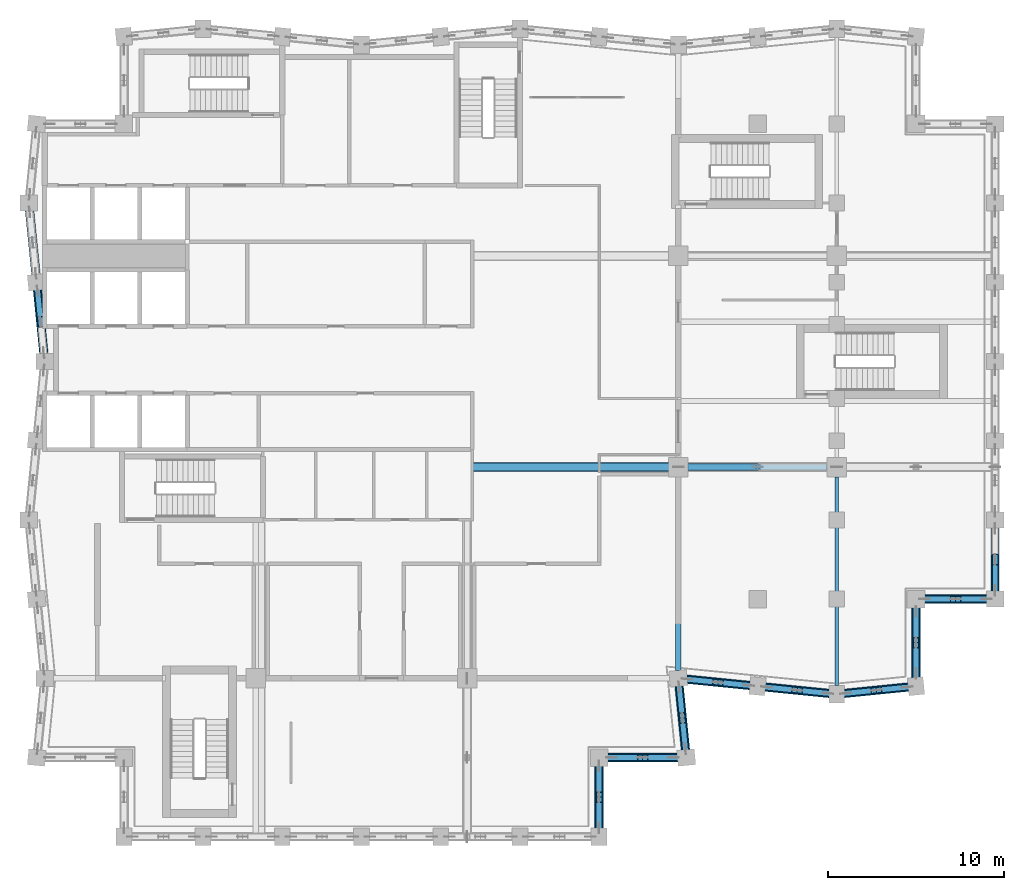
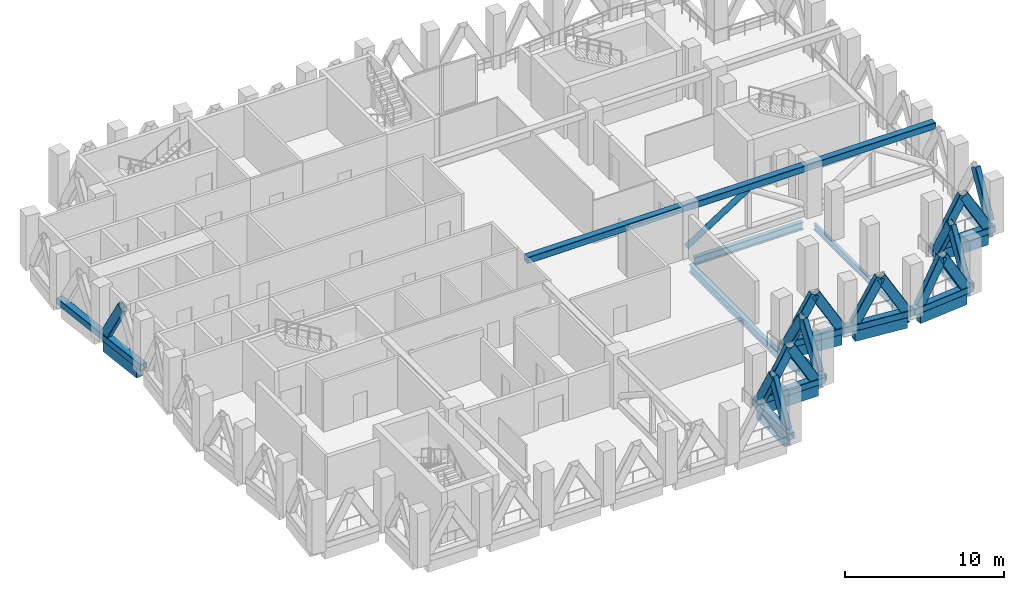
# One storey, part 3 of 18: 28 members, 13 beams.
"""IFC4 building model written with IfcOpenShell, lengths in metres."""

from ifc_helpers import new_model, si_unit, direction, frame, origin, origin_2d, place, context, subcontext, project, spatial, rectangle, hollow_rectangle, hollow_circle, i_section, extrude, material, material_profile, profile_set, type_object, element, save


model = new_model("IFC4")

# Units and contexts
model_context = context("Model", 3, precision=1e-05, world=origin(), true_north=direction((0.0, 1.0)))
body_context = subcontext(model_context, "Body", "Model", "MODEL_VIEW")
ifc_project = project(units=[si_unit("LENGTHUNIT", "METRE"), si_unit("AREAUNIT", "SQUARE_METRE"), si_unit("VOLUMEUNIT", "CUBIC_METRE"), si_unit("PLANEANGLEUNIT", "RADIAN"), si_unit("MASSUNIT", "GRAM", prefix="KILO")], contexts=[model_context])

# Site, building, storey
site_placement = place(None, origin())
site = spatial("IfcSite", under=ifc_project, at=site_placement, CompositionType="ELEMENT")
building_placement = place(site_placement, origin())
building = spatial("IfcBuilding", under=site, at=building_placement, Name="Brondeck Convention Tower", CompositionType="ELEMENT")
storey_placement = place(building_placement, frame((0.0, 0.0, 248.199951171875)))
storey = spatial("IfcBuildingStorey", under=building, at=storey_placement, Name="L61", CompositionType="ELEMENT", Elevation=248.199951171875)

# Members
ifc_material_1 = material(Name="Steel S460", Category="steel")
ifc_material_profile_1 = material_profile(ifc_material_1, hollow_rectangle(XDim=0.39990234375, YDim=0.699951171875, WallThickness=0.030029296875, InnerFilletRadius=0.030029296875, OuterFilletRadius=0.06005859375, at=origin_2d()), Name="RHS 700x400x30")
ifc_profile_set_1 = profile_set([ifc_material_profile_1], Name="Steel S460")
member_type_1 = type_object("IfcMemberType", Name="Chevron brace RHS 700x400x30", PredefinedType="BRACE", material=ifc_profile_set_1)
for number, where, z_axis, x_axis, name in (
    (1, (31.5, 18.489013671875, 0.5), (0.0, 0.500008478926, 0.866020508419), (-1.0, 0.0, 0.0), "Belt truss BT-61-7 diagonal"),
    (2, (31.5, 22.010986328125, 0.5), (0.0, -0.500008478926, 0.866020508419), (1.0, 0.0, 0.0), "Belt truss BT-61-7 diagonal"),
    (3, (32.214111328125, 22.5, 0.5), (0.500008478926, 0.0, 0.866020508419), (0.0, 1.0, 0.0), "Belt truss BT-61-8 diagonal"),
):
    element("IfcMember", number, at=place(storey_placement, frame(where, z_axis=z_axis, x_axis=x_axis)), inside=storey, type_object=member_type_1, Name=name, PredefinedType="BRACE", context=body_context, shape_type="SweptSolid", body=[
        extrude(hollow_rectangle(XDim=0.39990234375, YDim=0.699951171875, WallThickness=0.030029296875, InnerFilletRadius=0.030029296875, OuterFilletRadius=0.06005859375, at=origin_2d()), origin(), (0.0, 0.0, 1.0), 3.52197265625),
    ])
member_1_placement = place(storey_placement, frame((35.73583984375, 22.5, 0.5), z_axis=(-0.499956486466, 0.0, 0.866050524878), x_axis=(0.0, -1.0, 0.0)))
element("IfcMember", 4, at=member_1_placement, inside=storey, type_object=member_type_1, Name="Belt truss BT-61-8 diagonal", PredefinedType="BRACE", context=body_context, shape_type="SweptSolid", body=[
    extrude(hollow_rectangle(XDim=0.39990234375, YDim=0.699951171875, WallThickness=0.030029296875, InnerFilletRadius=0.030029296875, OuterFilletRadius=0.06005859375, at=origin_2d()), origin(), (0.0, 0.0, 1.0), 3.521728515625),
])
for number, where, z_axis, x_axis, name in (
    (5, (36.400146484375, 22.997802734375, 0.5), (-0.049703241745, 0.49751766528, 0.866028729601), (-0.995046794549, -0.099407628771, 0.0), "Belt truss BT-61-9 diagonal"),
    (6, (36.0498046875, 26.502197265625, 0.5), (0.049772391254, -0.497515949904, 0.866025743647), (0.995033071281, 0.099544899705, 0.0), "Belt truss BT-61-9 diagonal"),
    (7, (36.497802734375, 26.9501953125, 0.5), (0.497515949904, -0.049772391254, 0.866025743647), (0.099544899705, 0.995033071281, 0.0), "Belt truss BT-61-10 diagonal"),
    (8, (40.002197265625, 26.599853515625, 0.5), (-0.49751766528, 0.049703241745, 0.866028729601), (-0.099407628771, -0.995046794549, 0.0), "Belt truss BT-61-10 diagonal"),
    (9, (40.997802734375, 26.500244140625, 0.5), (0.497515949904, -0.049772391254, 0.866025743647), (0.099544899705, 0.995033071281, 0.0), "Belt truss BT-61-11 diagonal"),
    (10, (44.502197265625, 26.14990234375, 0.5), (-0.49751766528, 0.049703241745, 0.866028729601), (-0.099407628771, -0.995046794549, 0.0), "Belt truss BT-61-11 diagonal"),
    (11, (45.497802734375, 26.14990234375, 0.5), (0.49751766528, 0.049703241745, 0.866028729601), (-0.099407628771, 0.995046794549, 0.0), "Belt truss BT-61-12 diagonal"),
    (12, (49.002197265625, 26.500244140625, 0.5), (-0.497515949904, -0.049772391254, 0.866025743647), (0.099544899705, -0.995033071281, 0.0), "Belt truss BT-61-12 diagonal"),
):
    element("IfcMember", number, at=place(storey_placement, frame(where, z_axis=z_axis, x_axis=x_axis)), inside=storey, type_object=member_type_1, Name=name, PredefinedType="BRACE", context=body_context, shape_type="SweptSolid", body=[
        extrude(hollow_rectangle(XDim=0.39990234375, YDim=0.699951171875, WallThickness=0.030029296875, InnerFilletRadius=0.030029296875, OuterFilletRadius=0.06005859375, at=origin_2d()), origin(), (0.0, 0.0, 1.0), 3.52197265625),
    ])
member_2_placement = place(storey_placement, frame((49.5, 27.26416015625, 0.5), z_axis=(0.0, 0.499956486466, 0.866050524878), x_axis=(-1.0, 0.0, 0.0)))
element("IfcMember", 13, at=member_2_placement, inside=storey, type_object=member_type_1, Name="Belt truss BT-61-13 diagonal", PredefinedType="BRACE", context=body_context, shape_type="SweptSolid", body=[
    extrude(hollow_rectangle(XDim=0.39990234375, YDim=0.699951171875, WallThickness=0.030029296875, InnerFilletRadius=0.030029296875, OuterFilletRadius=0.06005859375, at=origin_2d()), origin(), (0.0, 0.0, 1.0), 3.521728515625),
])
for number, where, z_axis, x_axis, name in (
    (14, (49.5, 30.785888671875, 0.5), (0.0, -0.500008478926, 0.866020508419), (1.0, 0.0, 0.0), "Belt truss BT-61-13 diagonal"),
    (15, (49.989013671875, 31.5, 0.5), (0.500008478926, 0.0, 0.866020508419), (0.0, 1.0, 0.0), "Belt truss BT-61-14 diagonal"),
    (16, (53.510986328125, 31.5, 0.5), (-0.500008478926, 0.0, 0.866020508419), (0.0, -1.0, 0.0), "Belt truss BT-61-14 diagonal"),
    (17, (54.0, 31.989013671875, 0.5), (0.0, 0.500008478926, 0.866020508419), (-1.0, 0.0, 0.0), "Belt truss BT-61-15 diagonal"),
    (18, (-0.400146484375, 49.002197265625, 0.5), (0.049703241745, -0.49751766528, 0.866028729601), (0.995046794549, 0.099407628771, 0.0), "Belt truss BT-61-37 diagonal"),
):
    element("IfcMember", number, at=place(storey_placement, frame(where, z_axis=z_axis, x_axis=x_axis)), inside=storey, type_object=member_type_1, Name=name, PredefinedType="BRACE", context=body_context, shape_type="SweptSolid", body=[
        extrude(hollow_rectangle(XDim=0.39990234375, YDim=0.699951171875, WallThickness=0.030029296875, InnerFilletRadius=0.030029296875, OuterFilletRadius=0.06005859375, at=origin_2d()), origin(), (0.0, 0.0, 1.0), 3.52197265625),
    ])

# Beams
ifc_material_2 = material(Name="Steel S355", Category="steel")
ifc_material_profile_2 = material_profile(ifc_material_2, i_section(OverallWidth=0.199951171875, OverallDepth=0.5, WebThickness=0.01025390625, FlangeThickness=0.01611328125, FilletRadius=0.02099609375, at=origin_2d()), Name="IPE 500")
ifc_profile_set_2 = profile_set([ifc_material_profile_2], Name="Steel S355")
beam_type_1 = type_object("IfcBeamType", Name="Floor beam IPE 500", PredefinedType="BEAM", material=ifc_profile_set_2)
beam_1_placement = place(storey_placement, frame((45.0, 26.60009765625, -0.699951171875), z_axis=(0.0, 1.0, 0.0), x_axis=(-1.0, 0.0, 0.0)))
element("IfcBeam", 19, at=beam_1_placement, inside=storey, type_object=beam_type_1, Name="STR-FB-L61-001", PredefinedType="BEAM", context=body_context, shape_type="SweptSolid", body=[
    extrude(i_section(OverallWidth=0.199951171875, OverallDepth=0.5, WebThickness=0.01025390625, FlangeThickness=0.01611328125, FilletRadius=0.02099609375, at=origin_2d()), origin(), (0.0, 0.0, 1.0), 11.849853515625),
])
ifc_material_profile_3 = material_profile(ifc_material_2, i_section(OverallWidth=0.300048828125, OverallDepth=0.60009765625, WebThickness=0.015380859375, FlangeThickness=0.030029296875, FilletRadius=0.027099609375, at=origin_2d()), Name="HEB 600")
ifc_profile_set_3 = profile_set([ifc_material_profile_3], Name="Steel S355")
beam_type_2 = type_object("IfcBeamType", Name="Girder HEB 600", PredefinedType="BEAM", material=ifc_profile_set_3)
beam_2_placement = place(storey_placement, frame((36.550048828125, 39.0, -0.75), z_axis=(1.0, 0.0, 0.0), x_axis=(0.0, 1.0, 0.0)))
element("IfcBeam", 20, at=beam_2_placement, inside=storey, type_object=beam_type_2, Name="STR-GR-L61-001", PredefinedType="BEAM", context=body_context, shape_type="SweptSolid", body=[
    extrude(i_section(OverallWidth=0.300048828125, OverallDepth=0.60009765625, WebThickness=0.015380859375, FlangeThickness=0.030029296875, FilletRadius=0.027099609375, at=origin_2d()), origin(), (0.0, 0.0, 1.0), 7.89990234375),
])
beam_3_placement = place(storey_placement, frame((36.0, 27.4521484375, -0.75), z_axis=(0.0, 1.0, 0.0), x_axis=(-1.0, 0.0, 0.0)))
element("IfcBeam", 21, at=beam_3_placement, inside=storey, type_object=beam_type_2, Name="STR-GR-L61-005", PredefinedType="BEAM", context=body_context, shape_type="SweptSolid", body=[
    extrude(i_section(OverallWidth=0.300048828125, OverallDepth=0.60009765625, WebThickness=0.015380859375, FlangeThickness=0.030029296875, FilletRadius=0.027099609375, at=origin_2d()), origin(), (0.0, 0.0, 1.0), 10.997802734375),
])
ifc_material_3 = material(Name="Concrete C50/60", Category="concrete")
ifc_material_profile_4 = material_profile(ifc_material_3, rectangle(XDim=0.449951171875, YDim=0.800048828125, at=origin_2d()), Name="Precast spandrel 450x800 Concrete C50/60")
ifc_profile_set_4 = profile_set([ifc_material_profile_4], Name="Concrete C50/60")
beam_type_3 = type_object("IfcBeamType", Name="Precast spandrel 450x800 Concrete C50/60", PredefinedType="SPANDREL", material=ifc_profile_set_4)
beam_4_placement = place(storey_placement, frame((31.5, 18.5, -0.39990234375), z_axis=(0.0, 1.0, 0.0), x_axis=(-1.0, 0.0, 0.0)))
element("IfcBeam", 22, at=beam_4_placement, inside=storey, type_object=beam_type_3, Name="STR-SP-L61-007", PredefinedType="SPANDREL", context=body_context, shape_type="SweptSolid", body=[
    extrude(rectangle(XDim=0.449951171875, YDim=0.800048828125, at=origin_2d()), origin(), (0.0, 0.0, 1.0), 3.5),
])
beam_5_placement = place(storey_placement, frame((32.0, 22.5, -0.39990234375), z_axis=(1.0, 0.0, 0.0), x_axis=(0.0, 1.0, 0.0)))
element("IfcBeam", 23, at=beam_5_placement, inside=storey, type_object=beam_type_3, Name="STR-SP-L61-008", PredefinedType="SPANDREL", context=body_context, shape_type="SweptSolid", body=[
    extrude(rectangle(XDim=0.449951171875, YDim=0.800048828125, at=origin_2d()), origin(), (0.0, 0.0, 1.0), 3.947509765625),
])
beam_6_placement = place(storey_placement, frame((36.4052734375, 22.94775390625, -0.39990234375), z_axis=(-0.099543756114, 0.995033185687, 0.0), x_axis=(-0.995033185687, -0.099543756114, 0.0)))
element("IfcBeam", 24, at=beam_6_placement, inside=storey, type_object=beam_type_3, Name="STR-SP-L61-009", PredefinedType="SPANDREL", context=body_context, shape_type="SweptSolid", body=[
    extrude(rectangle(XDim=0.449951171875, YDim=0.800048828125, at=origin_2d()), origin(), (0.0, 0.0, 1.0), 3.62255859375),
])
beam_7_placement = place(storey_placement, frame((36.507568359375, 26.94921875, -0.39990234375), z_axis=(0.995036511638, -0.099510504504, 0.0), x_axis=(0.099510504504, 0.995036511638, 0.0)))
element("IfcBeam", 25, at=beam_7_placement, inside=storey, type_object=beam_type_3, Name="STR-SP-L61-010", PredefinedType="SPANDREL", context=body_context, shape_type="SweptSolid", body=[
    extrude(rectangle(XDim=0.449951171875, YDim=0.800048828125, at=origin_2d()), origin(), (0.0, 0.0, 1.0), 3.562255859375),
])
for number, where, z_axis, x_axis, name in (
    (26, (40.94775390625, 26.505126953125, -0.39990234375), (0.995040528141, -0.099470334057, 0.0), (0.099470334057, 0.995040528141, 0.0), "STR-SP-L61-011"),
    (27, (45.449951171875, 26.14501953125, -0.39990234375), (0.995040528141, 0.099470334057, 0.0), (-0.099470334057, 0.995040528141, 0.0), "STR-SP-L61-012"),
):
    element("IfcBeam", number, at=place(storey_placement, frame(where, z_axis=z_axis, x_axis=x_axis)), inside=storey, type_object=beam_type_3, Name=name, PredefinedType="SPANDREL", context=body_context, shape_type="SweptSolid", body=[
        extrude(rectangle(XDim=0.449951171875, YDim=0.800048828125, at=origin_2d()), origin(), (0.0, 0.0, 1.0), 3.620361328125),
    ])
beam_8_placement = place(storey_placement, frame((49.5, 27.052490234375, -0.39990234375), z_axis=(0.0, 1.0, 0.0), x_axis=(-1.0, 0.0, 0.0)))
element("IfcBeam", 28, at=beam_8_placement, inside=storey, type_object=beam_type_3, Name="STR-SP-L61-013", PredefinedType="SPANDREL", context=body_context, shape_type="SweptSolid", body=[
    extrude(rectangle(XDim=0.449951171875, YDim=0.800048828125, at=origin_2d()), origin(), (0.0, 0.0, 1.0), 3.947509765625),
])
beam_9_placement = place(storey_placement, frame((50.0, 31.5, -0.39990234375), z_axis=(1.0, 0.0, 0.0), x_axis=(0.0, 1.0, 0.0)))
element("IfcBeam", 29, at=beam_9_placement, inside=storey, type_object=beam_type_3, Name="STR-SP-L61-014", PredefinedType="SPANDREL", context=body_context, shape_type="SweptSolid", body=[
    extrude(rectangle(XDim=0.449951171875, YDim=0.800048828125, at=origin_2d()), origin(), (0.0, 0.0, 1.0), 3.5),
])
beam_10_placement = place(storey_placement, frame((54.0, 31.949951171875, -0.39990234375), z_axis=(0.0, 1.0, 0.0), x_axis=(-1.0, 0.0, 0.0)))
element("IfcBeam", 30, at=beam_10_placement, inside=storey, type_object=beam_type_3, Name="STR-SP-L61-015", PredefinedType="SPANDREL", context=body_context, shape_type="SweptSolid", body=[
    extrude(rectangle(XDim=0.449951171875, YDim=0.800048828125, at=origin_2d()), origin(), (0.0, 0.0, 1.0), 3.60009765625),
])
beam_11_placement = place(storey_placement, frame((-0.4052734375, 49.05224609375, -0.39990234375), z_axis=(0.099537103649, -0.995033851182, 0.0), x_axis=(0.995033851182, 0.099537103649, 0.0)))
element("IfcBeam", 31, at=beam_11_placement, inside=storey, type_object=beam_type_3, Name="STR-SP-L61-037", PredefinedType="SPANDREL", context=body_context, shape_type="SweptSolid", body=[
    extrude(rectangle(XDim=0.449951171875, YDim=0.800048828125, at=origin_2d()), origin(), (0.0, 0.0, 1.0), 3.620361328125),
])

# Members
ifc_material_profile_5 = material_profile(ifc_material_1, hollow_rectangle(XDim=0.5, YDim=0.5, WallThickness=0.02490234375, InnerFilletRadius=0.02490234375, OuterFilletRadius=0.050048828125, at=origin_2d()), Name="RHS 500x500x25")
ifc_profile_set_5 = profile_set([ifc_material_profile_5], Name="Steel S460")
member_type_2 = type_object("IfcMemberType", Name="Truss chord RHS 500x500x25", PredefinedType="CHORD", material=ifc_profile_set_5)
member_3_placement = place(storey_placement, frame((31.5, 18.0, 0.25), z_axis=(0.0, 1.0, 0.0), x_axis=(-1.0, 0.0, 0.0)))
element("IfcMember", 32, at=member_3_placement, inside=storey, type_object=member_type_2, Name="Belt truss BT-61-2 chord", PredefinedType="CHORD", context=body_context, shape_type="SweptSolid", body=[
    extrude(hollow_rectangle(XDim=0.5, YDim=0.5, WallThickness=0.02490234375, InnerFilletRadius=0.02490234375, OuterFilletRadius=0.050048828125, at=origin_2d()), origin(), (0.0, 0.0, 1.0), 4.5),
])
member_4_placement = place(storey_placement, frame((31.5, 22.5, 0.25), z_axis=(1.0, 0.0, 0.0), x_axis=(0.0, 1.0, 0.0)))
element("IfcMember", 33, at=member_4_placement, inside=storey, type_object=member_type_2, Name="Belt truss BT-61-3 chord", PredefinedType="CHORD", context=body_context, shape_type="SweptSolid", body=[
    extrude(hollow_rectangle(XDim=0.5, YDim=0.5, WallThickness=0.02490234375, InnerFilletRadius=0.02490234375, OuterFilletRadius=0.050048828125, at=origin_2d()), origin(), (0.0, 0.0, 1.0), 4.949951171875),
])
member_5_placement = place(storey_placement, frame((36.449951171875, 22.5, 0.25), z_axis=(-0.099493029059, 0.995038259148, 0.0), x_axis=(-0.995038259148, -0.099493029059, 0.0)))
element("IfcMember", 34, at=member_5_placement, inside=storey, type_object=member_type_2, Name="Belt truss BT-61-4 chord", PredefinedType="CHORD", context=body_context, shape_type="SweptSolid", body=[
    extrude(hollow_rectangle(XDim=0.5, YDim=0.5, WallThickness=0.02490234375, InnerFilletRadius=0.02490234375, OuterFilletRadius=0.050048828125, at=origin_2d()), origin(), (0.0, 0.0, 1.0), 4.5224609375),
])
member_6_placement = place(storey_placement, frame((36.0, 27.0, 0.25), z_axis=(0.995038259148, -0.099493029059, 0.0), x_axis=(0.099493029059, 0.995038259148, 0.0)))
element("IfcMember", 35, at=member_6_placement, inside=storey, type_object=member_type_2, Name="Belt truss BT-61-5 chord", PredefinedType="CHORD", context=body_context, shape_type="SweptSolid", body=[
    extrude(hollow_rectangle(XDim=0.5, YDim=0.5, WallThickness=0.02490234375, InnerFilletRadius=0.02490234375, OuterFilletRadius=0.050048828125, at=origin_2d()), origin(), (0.0, 0.0, 1.0), 9.044921875),
])
member_7_placement = place(storey_placement, frame((45.0, 26.10009765625, 0.25), z_axis=(0.995038259148, 0.099493029059, 0.0), x_axis=(-0.099493029059, 0.995038259148, 0.0)))
element("IfcMember", 36, at=member_7_placement, inside=storey, type_object=member_type_2, Name="Belt truss BT-61-6 chord", PredefinedType="CHORD", context=body_context, shape_type="SweptSolid", body=[
    extrude(hollow_rectangle(XDim=0.5, YDim=0.5, WallThickness=0.02490234375, InnerFilletRadius=0.02490234375, OuterFilletRadius=0.050048828125, at=origin_2d()), origin(), (0.0, 0.0, 1.0), 4.5224609375),
])
member_8_placement = place(storey_placement, frame((49.5, 26.550048828125, 0.25), z_axis=(0.0, 1.0, 0.0), x_axis=(-1.0, 0.0, 0.0)))
element("IfcMember", 37, at=member_8_placement, inside=storey, type_object=member_type_2, Name="Belt truss BT-61-7 chord", PredefinedType="CHORD", context=body_context, shape_type="SweptSolid", body=[
    extrude(hollow_rectangle(XDim=0.5, YDim=0.5, WallThickness=0.02490234375, InnerFilletRadius=0.02490234375, OuterFilletRadius=0.050048828125, at=origin_2d()), origin(), (0.0, 0.0, 1.0), 4.949951171875),
])
member_9_placement = place(storey_placement, frame((49.5, 31.5, 0.25), z_axis=(1.0, 0.0, 0.0), x_axis=(0.0, 1.0, 0.0)))
element("IfcMember", 38, at=member_9_placement, inside=storey, type_object=member_type_2, Name="Belt truss BT-61-8 chord", PredefinedType="CHORD", context=body_context, shape_type="SweptSolid", body=[
    extrude(hollow_rectangle(XDim=0.5, YDim=0.5, WallThickness=0.02490234375, InnerFilletRadius=0.02490234375, OuterFilletRadius=0.050048828125, at=origin_2d()), origin(), (0.0, 0.0, 1.0), 4.5),
])
member_10_placement = place(storey_placement, frame((-0.89990234375, 54.0, 0.25), z_axis=(0.099493029059, -0.995038259148, 0.0), x_axis=(0.995038259148, 0.099493029059, 0.0)))
element("IfcMember", 39, at=member_10_placement, inside=storey, type_object=member_type_2, Name="Belt truss BT-61-21 chord", PredefinedType="CHORD", context=body_context, shape_type="SweptSolid", body=[
    extrude(hollow_rectangle(XDim=0.5, YDim=0.5, WallThickness=0.02490234375, InnerFilletRadius=0.02490234375, OuterFilletRadius=0.050048828125, at=origin_2d()), origin(), (0.0, 0.0, 1.0), 9.044921875),
])
member_11_placement = place(storey_placement, frame((24.344970703125, 39.0, 3.650146484375), z_axis=(1.0, 0.0, 0.0), x_axis=(0.0, 1.0, 0.0)))
element("IfcMember", 40, at=member_11_placement, inside=storey, type_object=member_type_2, Name="Outrigger truss OT-61-A1 chord", PredefinedType="CHORD", context=body_context, shape_type="SweptSolid", body=[
    extrude(hollow_rectangle(XDim=0.5, YDim=0.5, WallThickness=0.02490234375, InnerFilletRadius=0.02490234375, OuterFilletRadius=0.050048828125, at=origin_2d()), origin(), (0.0, 0.0, 1.0), 29.655029296875),
])
ifc_material_profile_6 = material_profile(ifc_material_1, hollow_circle(Radius=0.203125, WallThickness=0.02490234375, at=origin_2d()), Name="CHS 406.4x25")
ifc_profile_set_6 = profile_set([ifc_material_profile_6], Name="Steel S460")
member_type_3 = type_object("IfcMemberType", Name="Truss diagonal CHS 406.4x25", PredefinedType="BRACE", material=ifc_profile_set_6)
member_12_placement = place(storey_placement, frame((36.0, 39.0, 0.5), z_axis=(0.840558575931, 0.0, 0.541720666422), x_axis=(0.0, 1.0, 0.0)))
element("IfcMember", 41, at=member_12_placement, inside=storey, type_object=member_type_3, Name="Outrigger truss OT-61-A1 diagonal", PredefinedType="BRACE", context=body_context, shape_type="SweptSolid", body=[
    extrude(hollow_circle(Radius=0.203125, WallThickness=0.02490234375, at=origin_2d()), origin(), (0.0, 0.0, 1.0), 5.353515625),
])

save(model, "model.ifc")
